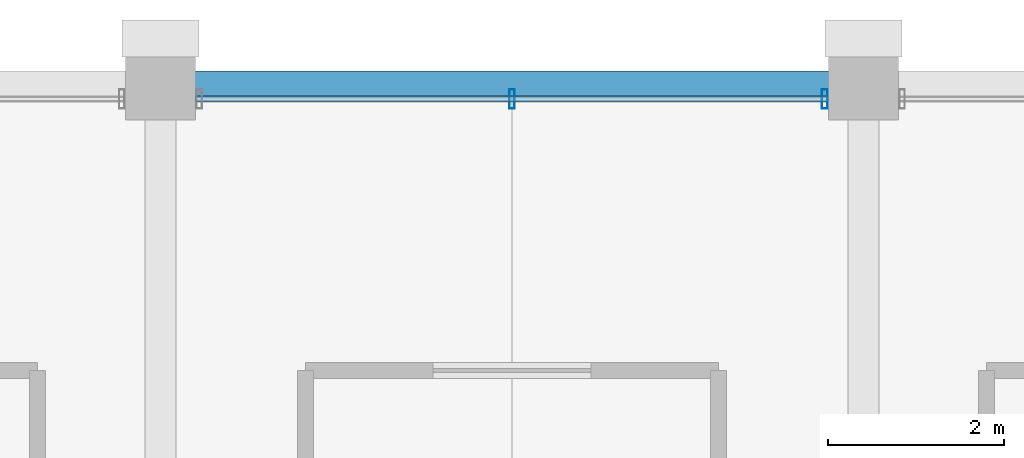
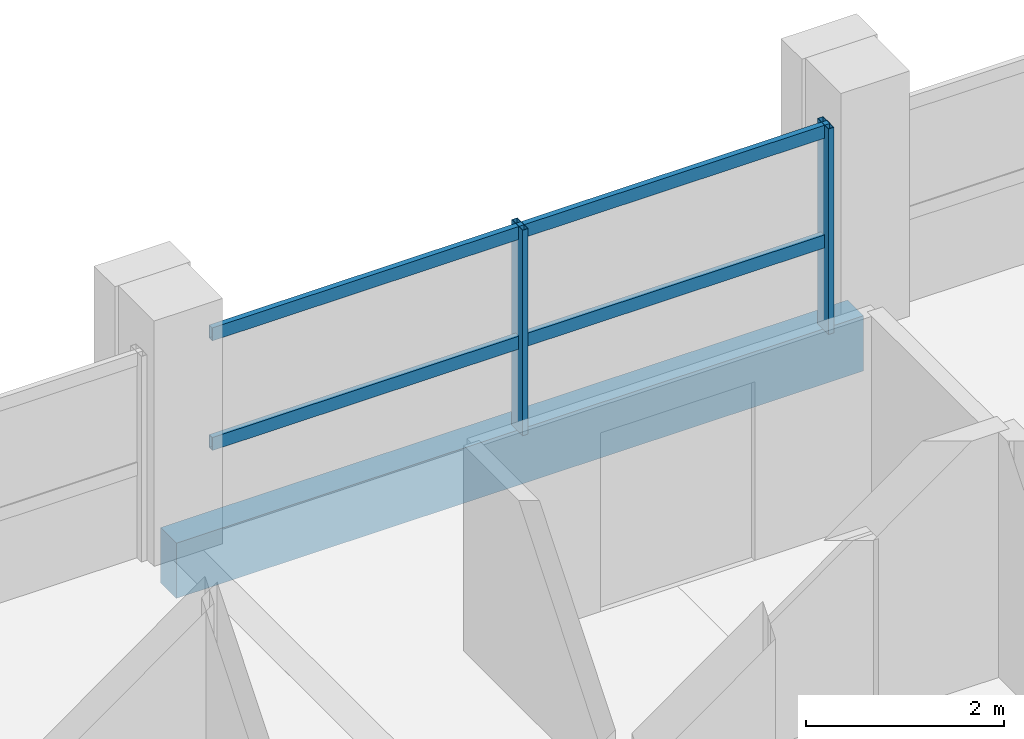
# One storey, part 14 of 23: 4 members, 1 beam, 1 element without a shape of its own.
"""IFC4 building model written with IfcOpenShell, lengths in metres."""

import ifcopenshell
import ifcopenshell.guid

model = None  # the IFC model being written
_history = None  # IfcOwnerHistory: only IFC2X3 demands one
_inside = {}  # id of a spatial element -> (the spatial element, [elements in it])
_under = {}  # id of a project, library or spatial element -> (it, [spatial elements below it])
_declared = {}  # id of a project -> (the project, [libraries it declares])
_typed = {}  # id of a type object -> (the type object, [elements of that type])
_made_of = {}  # id of a material, layer set ... -> (it, [elements and type objects made of it])


def new_model(schema):
    """Start an empty IFC model of exactly this schema.

    Asked for "IFC4X3", IfcOpenShell would pick the latest addendum, in which some entities
    have other attributes; the version numbers below select the first issue.
    IFC2X3 requires an IfcOwnerHistory on every rooted entity: one is made here for all.
    """
    global model, _history
    if schema == "IFC4X3":
        model = ifcopenshell.file(schema_version=(4, 3, 0, 0))
    else:
        model = ifcopenshell.file(schema=schema)
    _inside.clear()
    _under.clear()
    _declared.clear()
    _typed.clear()
    _made_of.clear()
    _history = None
    if model.schema == "IFC2X3":
        org = make("IfcOrganization", Name="unknown")
        user = make(
            "IfcPersonAndOrganization",
            ThePerson=make("IfcPerson", FamilyName="unknown"),
            TheOrganization=org,
        )
        app = make(
            "IfcApplication",
            ApplicationDeveloper=org,
            Version="unknown",
            ApplicationFullName="unknown",
            ApplicationIdentifier="unknown",
        )
        _history = make(
            "IfcOwnerHistory",
            OwningUser=user,
            OwningApplication=app,
            ChangeAction="ADDED",
            CreationDate=0,
        )
    return model


def make(cls, **values):
    """One entity of the class cls with the attributes given. An attribute that is None is left unset."""
    return model.create_entity(
        cls, **{name: value for name, value in values.items() if value is not None}
    )


def rooted(cls, **values):
    """An entity with a GlobalId (a new one), such as an element, a storey or a relation."""
    return make(cls, GlobalId=ifcopenshell.guid.new(), OwnerHistory=_history, **values)


def si_unit(unit_type, name, prefix=None):
    """IfcSIUnit, for example si_unit("LENGTHUNIT", "METRE", prefix="MILLI")."""
    return make("IfcSIUnit", UnitType=unit_type, Prefix=prefix, Name=name)


def assignment(units):
    """IfcUnitAssignment: the units of a project."""
    return None if units is None else make("IfcUnitAssignment", Units=units)


def point(xyz):
    """IfcCartesianPoint."""
    return None if xyz is None else make("IfcCartesianPoint", Coordinates=xyz)


def direction(xyz):
    """IfcDirection."""
    return None if xyz is None else make("IfcDirection", DirectionRatios=xyz)


def frame(location, z_axis=None, x_axis=None):
    """IfcAxis2Placement3D, a coordinate frame: its origin and axes. An axis left out is left unset."""
    return make(
        "IfcAxis2Placement3D",
        Location=point(location),
        Axis=direction(z_axis),
        RefDirection=direction(x_axis),
    )


def frame_2d(location, x_axis=None):
    """IfcAxis2Placement2D, a coordinate frame in the plane: its origin and x axis."""
    return make(
        "IfcAxis2Placement2D", Location=point(location), RefDirection=direction(x_axis)
    )


def origin():
    """The frame at (0, 0, 0) with its axes left unset."""
    return frame((0.0, 0.0, 0.0))


def origin_2d():
    """The frame at (0, 0) in the plane with its x axis left unset."""
    return frame_2d((0.0, 0.0))


def place(relative_to, where):
    """IfcLocalPlacement: puts the frame where relative to a parent placement (None: the world)."""
    return make(
        "IfcLocalPlacement", PlacementRelTo=relative_to, RelativePlacement=where
    )


def context(
    kind, dimensions, precision=None, world=None, true_north=None, identifier=None
):
    """IfcGeometricRepresentationContext, for example the 3D "Model" context."""
    return make(
        "IfcGeometricRepresentationContext",
        ContextIdentifier=identifier,
        ContextType=kind,
        CoordinateSpaceDimension=dimensions,
        Precision=precision,
        WorldCoordinateSystem=world,
        TrueNorth=true_north,
    )


def subcontext(parent, identifier, kind, view, scale=None):
    """IfcGeometricRepresentationSubContext, for example "Body" below "Model"."""
    return make(
        "IfcGeometricRepresentationSubContext",
        ContextIdentifier=identifier,
        ContextType=kind,
        ParentContext=parent,
        TargetScale=scale,
        TargetView=view,
    )


def project(units=None, contexts=None):
    """IfcProject with its units and contexts."""
    return rooted(
        "IfcProject",
        Name="project",
        RepresentationContexts=contexts,
        UnitsInContext=assignment(units),
    )


def spatial(cls, under=None, at=None, **own):
    """A site, building, storey or space (cls), placed at a placement, below another one or the project."""
    s = rooted(cls, ObjectPlacement=at, **own)
    if under is not None:
        _under.setdefault(under.id(), (under, []))[1].append(s)
    return s


def profile(cls, at=None, kind="AREA", **sizes):
    """A parametric profile (cls). Its sizes go by their IFC names, for example OverallWidth=200.0."""
    return make(cls, ProfileType=kind, Position=at, **sizes)


def rectangle(**sizes):
    """IfcRectangleProfileDef."""
    return profile("IfcRectangleProfileDef", **sizes)


def hollow_rectangle(**sizes):
    """IfcRectangleHollowProfileDef."""
    return profile("IfcRectangleHollowProfileDef", **sizes)


def extrude(swept, where, along, depth):
    """IfcExtrudedAreaSolid: the profile swept, set in the frame where, extruded along a direction by depth."""
    return make(
        "IfcExtrudedAreaSolid",
        SweptArea=swept,
        Position=where,
        ExtrudedDirection=direction(along),
        Depth=depth,
    )


def shape(context_of_items, identifier, shape_type, items):
    """IfcShapeRepresentation: the items that make up one representation, for example the "Body"."""
    return make(
        "IfcShapeRepresentation",
        ContextOfItems=context_of_items,
        RepresentationIdentifier=identifier,
        RepresentationType=shape_type,
        Items=items,
    )


def material(Name=None, Category=None):
    """IfcMaterial."""
    return make("IfcMaterial", Name=Name, Category=Category)


def material_profile(
    of_material, cross_section, Name=None, Category=None, Priority=None
):
    """IfcMaterialProfile: a cross section and its material."""
    return make(
        "IfcMaterialProfile",
        Name=Name,
        Material=of_material,
        Profile=cross_section,
        Priority=Priority,
        Category=Category,
    )


def profile_set(profiles, Name=None, composite=None):
    """IfcMaterialProfileSet."""
    return make(
        "IfcMaterialProfileSet",
        Name=Name,
        MaterialProfiles=profiles,
        CompositeProfile=composite,
    )


def made_of(thing, what):
    """Note that an element or type object is made of a material, layer set ...; save() writes the relation."""
    if what is not None:
        _made_of.setdefault(what.id(), (what, []))[1].append(thing)
    return thing


def type_object(cls, material=None, **own):
    """A type object (cls), such as IfcWallType, which elements share."""
    return made_of(rooted(cls, **own), material)


def element(
    cls,
    number,
    at=None,
    inside=None,
    cuts=None,
    type_object=None,
    material=None,
    context=None,
    identifier="Body",
    shape_type=None,
    held_by="IfcProductDefinitionShape",
    body=None,
    shapes=None,
    **own,
):
    """One element of the class cls, such as IfcWall. Its Tag is "e" and its number.

    at: its placement. inside: the storey or other place that contains it. cuts: it is an
    opening in that element (IfcRelVoidsElement). A single representation is given by context,
    identifier, shape_type and body (its items); several are given by shapes. held_by: the class
    of the entity that holds the representations. save() writes the other relations.
    """
    e = rooted(cls, Tag="e%d" % number, ObjectPlacement=at, **own)
    if body is not None:
        shapes = [shape(context, identifier, shape_type, body)]
    if shapes is not None:
        e.Representation = make(held_by, Representations=shapes)
    if inside is not None:
        _inside.setdefault(inside.id(), (inside, []))[1].append(e)
    if cuts is not None:
        rooted(
            "IfcRelVoidsElement", RelatingBuildingElement=cuts, RelatedOpeningElement=e
        )
    if type_object is not None:
        _typed.setdefault(type_object.id(), (type_object, []))[1].append(e)
    return made_of(e, material)


def aggregate(whole, parts):
    """IfcRelAggregates: a whole, such as a stair, and the parts it consists of."""
    return rooted("IfcRelAggregates", RelatingObject=whole, RelatedObjects=parts)


def save(model, path):
    """Write the relations noted so far, then the file.

    IfcRelAggregates (storeys below a building ...), IfcRelContainedInSpatialStructure (elements
    in a storey), IfcRelDefinesByType, IfcRelAssociatesMaterial and IfcRelDeclares: one each for
    every whole, place, type object, material and project.
    """
    for whole, parts in _under.values():
        aggregate(whole, parts)
    for where, things in _inside.values():
        rooted(
            "IfcRelContainedInSpatialStructure",
            RelatedElements=things,
            RelatingStructure=where,
        )
    for kind, things in _typed.values():
        rooted("IfcRelDefinesByType", RelatedObjects=things, RelatingType=kind)
    for what, things in _made_of.values():
        rooted("IfcRelAssociatesMaterial", RelatedObjects=things, RelatingMaterial=what)
    for by, libraries in _declared.values():
        rooted("IfcRelDeclares", RelatingContext=by, RelatedDefinitions=libraries)
    model.write(path)


model = new_model("IFC4")

# Units and contexts
model_context = context("Model", 3, precision=1e-05, world=origin(), true_north=direction((0.0, 1.0)))
body_context = subcontext(model_context, "Body", "Model", "MODEL_VIEW")
ifc_project = project(units=[si_unit("LENGTHUNIT", "METRE"), si_unit("AREAUNIT", "SQUARE_METRE"), si_unit("VOLUMEUNIT", "CUBIC_METRE"), si_unit("PLANEANGLEUNIT", "RADIAN"), si_unit("MASSUNIT", "GRAM", prefix="KILO")], contexts=[model_context])

# Site, building, storey
site_placement = place(None, origin())
site = spatial("IfcSite", under=ifc_project, at=site_placement, CompositionType="ELEMENT")
building_placement = place(site_placement, origin())
building = spatial("IfcBuilding", under=site, at=building_placement, Name="Akrevak Sports Hall", CompositionType="ELEMENT")
storey_placement = place(building_placement, frame((0.0, 0.0, 47.050048828125)))
storey = spatial("IfcBuildingStorey", under=building, at=storey_placement, Name="L11", CompositionType="ELEMENT", Elevation=47.050048828125)

# Curtain wall, members
ifc_material_1 = material(Name="Anodized Bronze Aluminium & Low-E Glass", Category="aluminium")
curtain_wall_type = type_object("IfcCurtainWallType", Name="ARC-CW-TWR-56x30", PredefinedType="NOTDEFINED", material=ifc_material_1)
curtain_wall_placement = place(storey_placement, origin())
curtain_wall = element("IfcCurtainWall", 1, at=curtain_wall_placement, inside=storey, type_object=curtain_wall_type, Name="Curtain Wall CW-L11-N22", PredefinedType="NOTDEFINED")
ifc_material_2 = material(Name="Anodized Bronze Aluminium", Category="aluminium")
ifc_material_profile_1 = material_profile(ifc_material_2, hollow_rectangle(XDim=0.06494140625, YDim=0.219970703125, WallThickness=0.00439453125, at=origin_2d()), Name="CWM 65x220", Category="aluminium")
ifc_profile_set_1 = profile_set([ifc_material_profile_1], Name="Anodized Bronze Aluminium")
member_type_1 = type_object("IfcMemberType", Name="ARC-CWM-70x160", PredefinedType="MULLION", material=ifc_profile_set_1)
member_1_placement = place(storey_placement, frame((83.56005859375, 69.43994140625, 0.0), z_axis=(0.0, 0.0, 1.0), x_axis=(-1.0, 0.0, 0.0)))
member_1 = element("IfcMember", 2, at=member_1_placement, type_object=member_type_1, Name="Curtain Wall Mullion CW-L11-N22-M1", PredefinedType="MULLION", context=body_context, shape_type="SweptSolid", body=[
    extrude(hollow_rectangle(XDim=0.06494140625, YDim=0.219970703125, WallThickness=0.00439453125, at=origin_2d()), origin(), (0.0, 0.0, 1.0), 2.530029296875),
])
member_2_placement = place(storey_placement, frame((80.0, 69.43994140625, 0.0), z_axis=(0.0, 0.0, 1.0), x_axis=(-1.0, 0.0, 0.0)))
member_2 = element("IfcMember", 3, at=member_2_placement, type_object=member_type_1, Name="Curtain Wall Mullion CW-L11-N22-M2", PredefinedType="MULLION", context=body_context, shape_type="SweptSolid", body=[
    extrude(hollow_rectangle(XDim=0.06494140625, YDim=0.219970703125, WallThickness=0.00439453125, at=origin_2d()), origin(), (0.0, 0.0, 1.0), 2.530029296875),
])
ifc_material_profile_2 = material_profile(ifc_material_2, hollow_rectangle(XDim=0.06494140625, YDim=0.159912109375, WallThickness=0.00390625, at=origin_2d()), Name="CWT 65x160", Category="aluminium")
ifc_profile_set_2 = profile_set([ifc_material_profile_2], Name="Anodized Bronze Aluminium")
member_type_2 = type_object("IfcMemberType", Name="ARC-CWT-70x130", PredefinedType="USERDEFINED", material=ifc_profile_set_2)
member_3_placement = place(storey_placement, frame((83.60009765625, 69.43994140625, 1.099853515625), z_axis=(-1.0, 0.0, 0.0), x_axis=(0.0, -1.0, 0.0)))
member_3 = element("IfcMember", 4, at=member_3_placement, type_object=member_type_2, Name="Curtain Wall Transom CW-L11-N22-T1", ObjectType="TRANSOM", PredefinedType="USERDEFINED", context=body_context, shape_type="SweptSolid", body=[
    extrude(hollow_rectangle(XDim=0.06494140625, YDim=0.159912109375, WallThickness=0.00390625, at=origin_2d()), origin(), (0.0, 0.0, 1.0), 7.2001953125),
])
member_4_placement = place(storey_placement, frame((83.60009765625, 69.43994140625, 2.449951171875), z_axis=(-1.0, 0.0, 0.0), x_axis=(0.0, -1.0, 0.0)))
member_4 = element("IfcMember", 5, at=member_4_placement, type_object=member_type_2, Name="Curtain Wall Transom CW-L11-N22-T2", ObjectType="TRANSOM", PredefinedType="USERDEFINED", context=body_context, shape_type="SweptSolid", body=[
    extrude(hollow_rectangle(XDim=0.06494140625, YDim=0.159912109375, WallThickness=0.00390625, at=origin_2d()), origin(), (0.0, 0.0, 1.0), 7.2001953125),
])
aggregate(curtain_wall, [member_1, member_2, member_3, member_4])

# Beam
ifc_material_3 = material(Name="Concrete C40/50", Category="concrete")
ifc_material_profile_3 = material_profile(ifc_material_3, rectangle(XDim=0.320068359375, YDim=0.679931640625, at=origin_2d()), Name="SPD 320x680", Category="concrete")
ifc_profile_set_3 = profile_set([ifc_material_profile_3], Name="Concrete C40/50")
beam_type = type_object("IfcBeamType", Name="STR-SPD-RC320x680", PredefinedType="SPANDREL", material=ifc_profile_set_3)
beam_placement = place(storey_placement, frame((76.0, 69.60009765625, -0.340087890625), z_axis=(1.0, 0.0, 0.0), x_axis=(0.0, 1.0, 0.0)))
element("IfcBeam", 6, at=beam_placement, inside=storey, type_object=beam_type, Name="Girder K/11-12 (L11)", PredefinedType="SPANDREL", context=body_context, shape_type="SweptSolid", body=[
    extrude(rectangle(XDim=0.320068359375, YDim=0.679931640625, at=origin_2d()), origin(), (0.0, 0.0, 1.0), 8.0),
])

save(model, "model.ifc")
